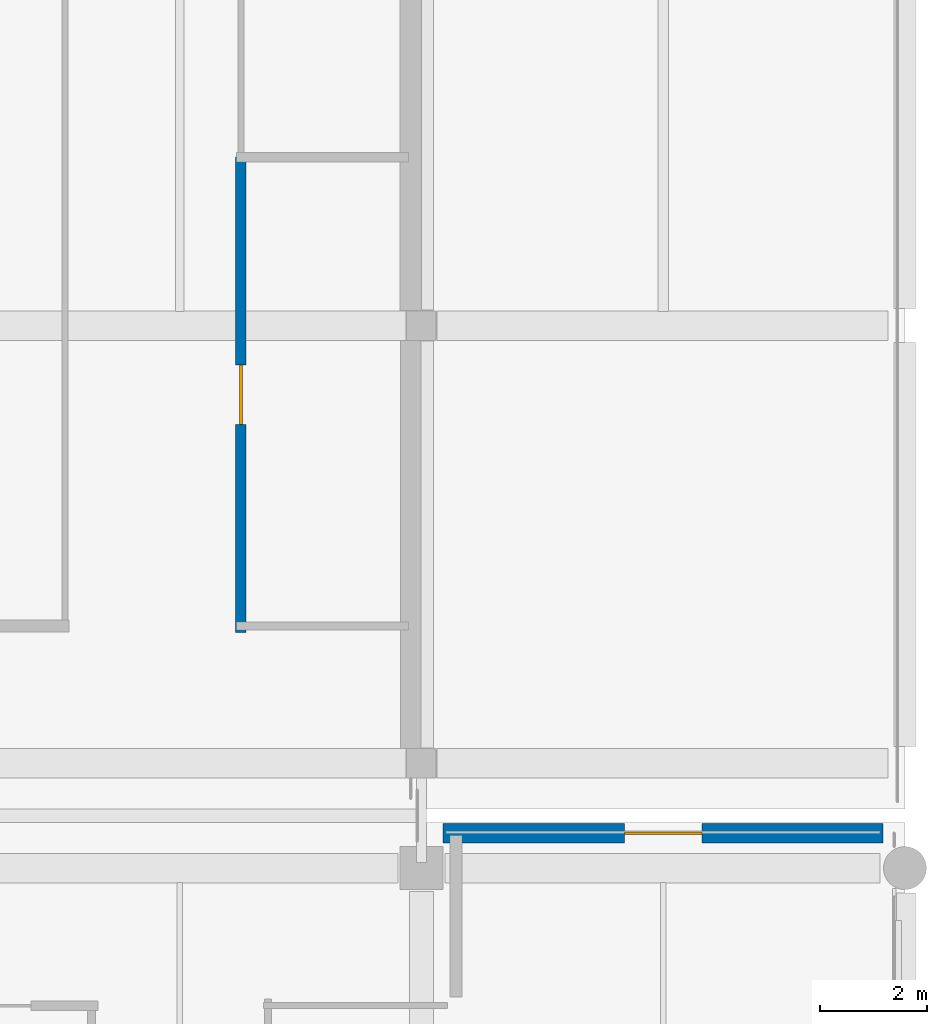
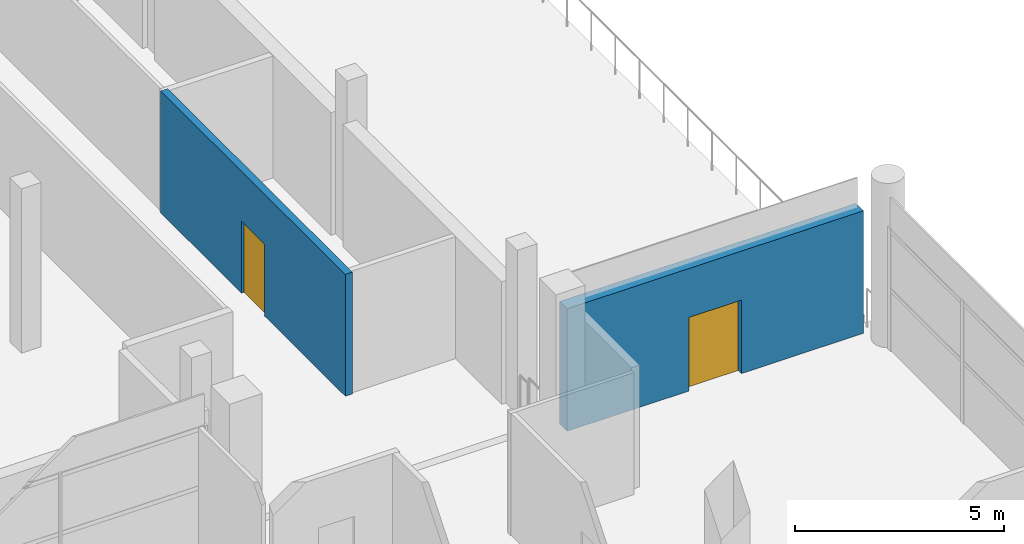
# One storey, part 81 of 111: 2 doors, 2 walls, 2 openings.
"""IFC4 building model written with IfcOpenShell, lengths in metres."""

from ifc_helpers import new_model, si_unit, direction, frame, frame_2d, origin, place, context, subcontext, project, spatial, rectangle, extrude, material, layer, layer_set, type_object, element, fill, save


model = new_model("IFC4")

# Units and contexts
model_context = context("Model", 3, precision=1e-05, world=origin(), true_north=direction((0.0, 1.0)))
body_context = subcontext(model_context, "Body", "Model", "MODEL_VIEW")
ifc_project = project(units=[si_unit("LENGTHUNIT", "METRE"), si_unit("AREAUNIT", "SQUARE_METRE"), si_unit("VOLUMEUNIT", "CUBIC_METRE"), si_unit("PLANEANGLEUNIT", "RADIAN"), si_unit("MASSUNIT", "GRAM", prefix="KILO"), si_unit("THERMODYNAMICTEMPERATUREUNIT", "KELVIN"), si_unit("POWERUNIT", "WATT")], contexts=[model_context])

# Site, building, storey
site_placement = place(None, origin())
site = spatial("IfcSite", under=ifc_project, at=site_placement, CompositionType="ELEMENT")
building_placement = place(site_placement, origin())
building = spatial("IfcBuilding", under=site, at=building_placement, Name="Sindhuravela Promenade Stadium", CompositionType="ELEMENT")
storey_placement = place(building_placement, frame((0.0, 0.0, 9.60009765625)))
storey = spatial("IfcBuildingStorey", under=building, at=storey_placement, Name="L02", CompositionType="ELEMENT", Elevation=9.60009765625)

# Wall, opening, door
ifc_material_1 = material(Name="Terracotta clay brick masonry (15 MPa)", Category="masonry")
ifc_layer_1 = layer(ifc_material_1, 0.360107421875)
ifc_layer_set_1 = layer_set([ifc_layer_1], Name="Terracotta clay brick masonry (15 MPa)")
wall_type_1 = type_object("IfcWallType", Name="EX-WL-BRK360", PredefinedType="SOLIDWALL", material=ifc_layer_set_1)
wall_1_placement = place(storey_placement, frame((207.405029296875, 125.550048828125, 0.0), z_axis=(0.0, 0.0, 1.0), x_axis=(1.0, 0.0, 0.0)))
wall_1 = element("IfcWall", 1, at=wall_1_placement, inside=storey, type_object=wall_type_1, Name="Exterior masonry wall EW05 EAST L02", PredefinedType="SOLIDWALL", context=body_context, shape_type="SweptSolid", body=[
    extrude(rectangle(XDim=8.18994140625, YDim=0.360107421875, at=frame_2d((4.094970703125, 0.0))), origin(), (0.0, 0.0, 1.0), 3.579833984375),
])
opening_1_placement = place(wall_1_placement, frame((3.3701171875, 0.0, 0.0)))
opening_1 = element("IfcOpeningElement", 2, at=opening_1_placement, cuts=wall_1, Name="Opening TD04", PredefinedType="OPENING", context=body_context, shape_type="SweptSolid", body=[
    extrude(rectangle(XDim=1.449951171875, YDim=2.14990234375, at=frame_2d((0.72509765625, 1.074951171875))), frame((0.0, 0.18994140625, 0.0), z_axis=(0.0, -1.0, 0.0), x_axis=(1.0, 0.0, 0.0)), (0.0, 0.0, 1.0), 0.380126953125),
])
ifc_material_2 = material(Name="Anodised architectural aluminium 6063-T6", Category="aluminium")
door_type_1 = type_object("IfcDoorType", Name="DR-TER-1450x2150", OperationType="DOUBLE_DOOR_SINGLE_SWING", PredefinedType="DOOR", material=ifc_material_2)
door_1_placement = place(opening_1_placement, origin())
door_1 = element("IfcDoor", 3, at=door_1_placement, inside=storey, type_object=door_type_1, Name="Terrace access door NE Pavilion East Terrace", OperationType="DOUBLE_DOOR_SINGLE_SWING", OverallHeight=2.14990234375, OverallWidth=1.449951171875, PredefinedType="DOOR", context=body_context, shape_type="SweptSolid", body=[
    extrude(rectangle(XDim=1.449951171875, YDim=2.14990234375, at=frame_2d((0.72509765625, 1.074951171875))), frame((0.0, 0.02490234375, 0.0), z_axis=(0.0, -1.0, 0.0), x_axis=(1.0, 0.0, 0.0)), (0.0, 0.0, 1.0), 0.050048828125),
])
fill(opening_1, door_1)

ifc_material_3 = material(Name="Fire-rated gypsum partition board", Category="gypsum")
ifc_layer_2 = layer(ifc_material_3, 0.195068359375)
ifc_layer_set_2 = layer_set([ifc_layer_2], Name="Fire-rated gypsum partition board")
wall_type_2 = type_object("IfcWallType", Name="IN-WL-PAR195", PredefinedType="PARTITIONING", material=ifc_layer_set_2)
wall_2_placement = place(storey_placement, frame((203.639892578125, 138.135009765625, 0.0), z_axis=(0.0, 0.0, 1.0), x_axis=(0.0, -1.0, 0.0)))
wall_2 = element("IfcWall", 4, at=wall_2_placement, inside=storey, type_object=wall_type_2, Name="Corridor partition IW02 Civic Exhibition Salon NE 3", PredefinedType="PARTITIONING", context=body_context, shape_type="SweptSolid", body=[
    extrude(rectangle(XDim=8.844970703125, YDim=0.195068359375, at=frame_2d((4.42236328125, 0.0))), origin(), (0.0, 0.0, 1.0), 3.559814453125),
])
opening_2_placement = place(wall_2_placement, frame((3.87255859375, 0.0, 0.0)))
opening_2 = element("IfcOpeningElement", 5, at=opening_2_placement, cuts=wall_2, Name="Opening ID06", PredefinedType="OPENING", context=body_context, shape_type="SweptSolid", body=[
    extrude(rectangle(XDim=1.10009765625, YDim=2.10009765625, at=frame_2d((0.550048828125, 1.050048828125))), frame((0.0, 0.107421875, 0.0), z_axis=(0.0, -1.0, 0.0), x_axis=(1.0, 0.0, 0.0)), (0.0, 0.0, 1.0), 0.215087890625),
])
ifc_material_4 = material(Name="Architectural teak timber leaf", Category="wood")
door_type_2 = type_object("IfcDoorType", Name="DR-INT-1100x2100", OperationType="NOTDEFINED", PredefinedType="DOOR", material=ifc_material_4)
door_2_placement = place(opening_2_placement, origin())
door_2 = element("IfcDoor", 6, at=door_2_placement, inside=storey, type_object=door_type_2, Name="Civic Exhibition Salon NE 3 door", OperationType="SINGLE_SWING_RIGHT", OverallHeight=2.10009765625, OverallWidth=1.10009765625, PredefinedType="DOOR", context=body_context, shape_type="SweptSolid", body=[
    extrude(rectangle(XDim=1.10009765625, YDim=2.10009765625, at=frame_2d((0.550048828125, 1.050048828125))), frame((0.0, 0.02490234375, 0.0), z_axis=(0.0, -1.0, 0.0), x_axis=(1.0, 0.0, 0.0)), (0.0, 0.0, 1.0), 0.050048828125),
])
fill(opening_2, door_2)

save(model, "model.ifc")
